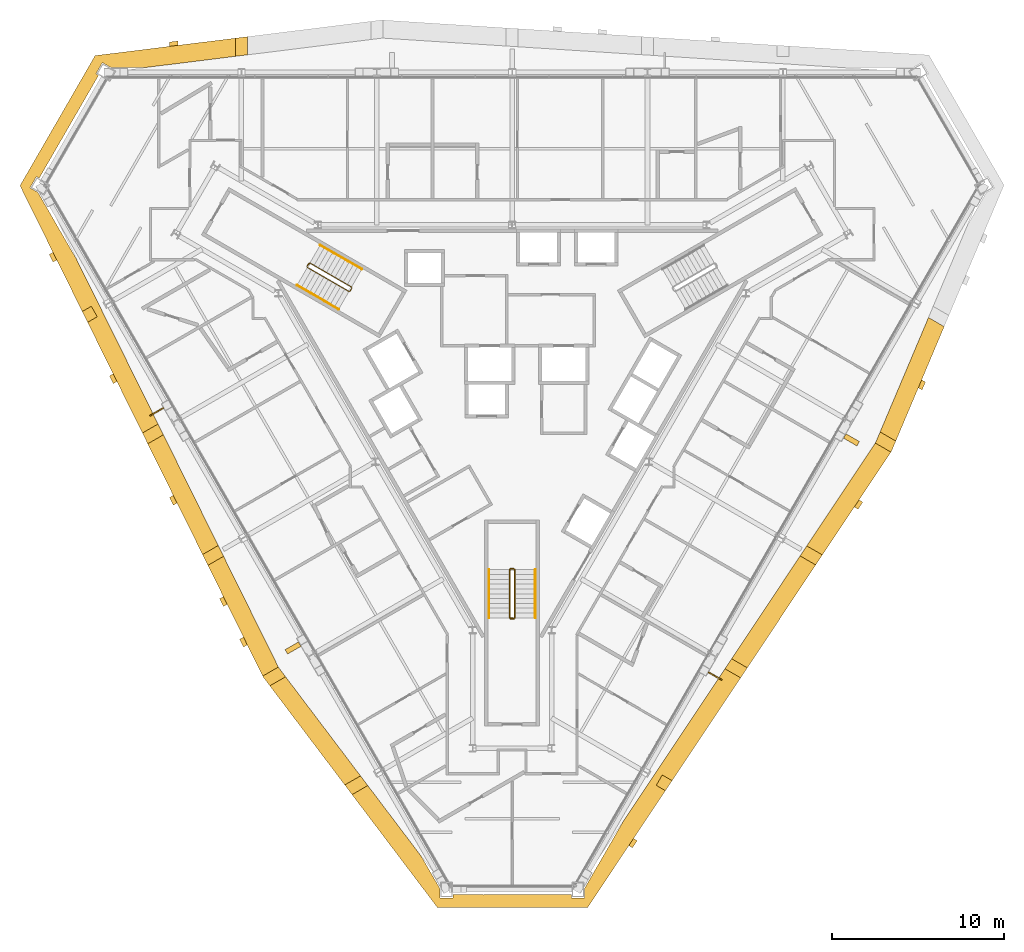
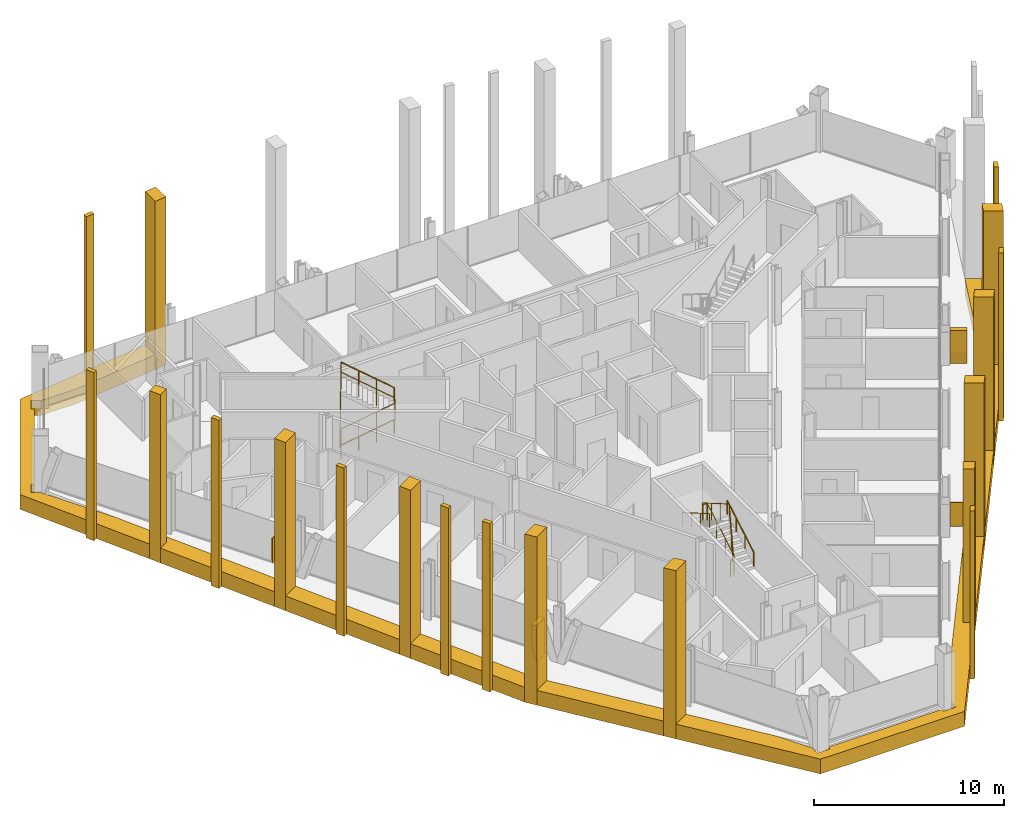
# One storey, part 16 of 17: 31 coverings, 6 railings.
"""IFC4 building model written with IfcOpenShell, lengths in metres."""

from ifc_helpers import new_model, si_unit, direction, frame, origin, origin_2d, place, context, subcontext, project, spatial, polyline, circle, outline, extrude, material, layer, layer_set, type_object, element, save


model = new_model("IFC4")

# Units and contexts
model_context = context("Model", 3, precision=1e-05, world=origin(), true_north=direction((0.0, 1.0)))
body_context = subcontext(model_context, "Body", "Model", "MODEL_VIEW")
ifc_project = project(units=[si_unit("LENGTHUNIT", "METRE"), si_unit("AREAUNIT", "SQUARE_METRE"), si_unit("VOLUMEUNIT", "CUBIC_METRE"), si_unit("PLANEANGLEUNIT", "RADIAN"), si_unit("MASSUNIT", "GRAM", prefix="KILO")], contexts=[model_context])

# Site, building, storey
site_placement = place(None, origin())
site = spatial("IfcSite", under=ifc_project, at=site_placement, CompositionType="ELEMENT")
building_placement = place(site_placement, origin())
building = spatial("IfcBuilding", under=site, at=building_placement, Name="Verrane Prism Tower", CompositionType="ELEMENT")
storey_placement = place(building_placement, frame((0.0, 0.0, 92.800048828125)))
storey = spatial("IfcBuildingStorey", under=building, at=storey_placement, Name="L21", CompositionType="ELEMENT", Elevation=92.800048828125)

# Railings
ifc_material_1 = material(Name="Steel A36 rail and posts, no infill", Category="steel")
railing_type_1 = type_object("IfcRailingType", Name="Stair guard 1100 steel rail and posts", PredefinedType="GUARDRAIL", material=ifc_material_1)
railing_1_placement = place(storey_placement, frame((-11.939453125, 6.72021484375, 0.16357421875)))
element("IfcRailing", 1, at=railing_1_placement, inside=storey, type_object=railing_type_1, Name="Stair 2 guard", PredefinedType="GUARDRAIL", context=body_context, shape_type="SweptSolid", body=[
    extrude(circle(Radius=0.02392578125, at=origin_2d()), frame((0.0, 0.0, 1.076171875), z_axis=(0.747665513933, -0.431721881032, 0.504591415616), x_axis=(0.500049511043, 0.865996816683, 0.0)), (0.0, 0.0, 1.0), 3.2431640625),
    extrude(circle(Radius=0.02392578125, at=origin_2d()), frame((2.4248046875, -1.400146484375, 2.71240234375), z_axis=(0.965948051503, 0.258736085224, 0.0), x_axis=(-0.258736085224, 0.965948051503, 0.0)), (0.0, 0.0, 1.0), 0.07080078125),
    extrude(circle(Radius=0.02392578125, at=origin_2d()), frame((2.4931640625, -1.3818359375, 2.71240234375), z_axis=(0.499158860599, 0.866510491504, 0.0), x_axis=(-0.866510491504, 0.499158860599, 0.0)), (0.0, 0.0, 1.0), 0.199951171875),
    extrude(circle(Radius=0.02392578125, at=origin_2d()), frame((2.593017578125, -1.20849609375, 2.71240234375), z_axis=(-0.102791240646, 0.382383415203, 0.918268416436), x_axis=(-0.965715946433, -0.259601060869, 0.0)), (0.0, 0.0, 1.0), 0.17822265625),
    extrude(circle(Radius=0.02392578125, at=origin_2d()), frame((2.57470703125, -1.140380859375, 2.8759765625), z_axis=(-0.747693913401, 0.431738279637, 0.504535300807), x_axis=(-0.500049511043, -0.865996816683, 0.0)), (0.0, 0.0, 1.0), 3.2431640625),
    extrude(circle(Radius=0.02392578125, at=origin_2d()), frame((0.14990234375, 0.259765625, 4.51220703125), z_axis=(-0.046610908435, -0.053105316576, -0.997500500534), x_axis=(0.751567565678, -0.659656118156, 0.0)), (0.0, 0.0, 1.0), 3.60888671875),
    extrude(circle(Radius=0.02392578125, at=origin_2d()), frame((-0.018310546875, 0.068115234375, 0.91259765625), z_axis=(0.499158860599, 0.866510491504, 0.0), x_axis=(-0.866510491504, 0.499158860599, 0.0)), (0.0, 0.0, 1.0), 0.199951171875),
    extrude(circle(Radius=0.02099609375, at=origin_2d()), origin(), (0.0, 0.0, 1.0), 1.052001953125),
    extrude(circle(Radius=0.02099609375, at=origin_2d()), frame((0.808349609375, -0.466796875, 0.54541015625)), (0.0, 0.0, 1.0), 1.052001953125),
    extrude(circle(Radius=0.02099609375, at=origin_2d()), frame((1.616455078125, -0.933349609375, 1.091064453125)), (0.0, 0.0, 1.0), 1.052001953125),
    extrude(circle(Radius=0.02099609375, at=origin_2d()), frame((2.4248046875, -1.400146484375, 1.636474609375)), (0.0, 0.0, 1.0), 1.052001953125),
    extrude(circle(Radius=0.02099609375, at=origin_2d()), frame((2.4931640625, -1.3818359375, 1.636474609375)), (0.0, 0.0, 1.0), 1.052001953125),
    extrude(circle(Radius=0.02099609375, at=origin_2d()), frame((2.593017578125, -1.20849609375, 1.636474609375)), (0.0, 0.0, 1.0), 1.052001953125),
    extrude(circle(Radius=0.02099609375, at=origin_2d()), frame((2.57470703125, -1.140380859375, 1.800048828125)), (0.0, 0.0, 1.0), 1.052001953125),
    extrude(circle(Radius=0.02099609375, at=origin_2d()), frame((1.766357421875, -0.673583984375, 2.345458984375)), (0.0, 0.0, 1.0), 1.052001953125),
    extrude(circle(Radius=0.02099609375, at=origin_2d()), frame((0.958251953125, -0.20703125, 2.890869140625)), (0.0, 0.0, 1.0), 1.052001953125),
    extrude(circle(Radius=0.02099609375, at=origin_2d()), frame((0.14990234375, 0.259765625, 3.436279296875)), (0.0, 0.0, 1.0), 1.052001953125),
    extrude(circle(Radius=0.02099609375, at=origin_2d()), frame((0.10791015625, 0.2119140625, 2.536376953125)), (0.0, 0.0, 1.0), 1.052001953125),
    extrude(circle(Radius=0.02099609375, at=origin_2d()), frame((0.06591796875, 0.1640625, 1.63623046875)), (0.0, 0.0, 1.0), 1.052001953125),
    extrude(circle(Radius=0.02099609375, at=origin_2d()), frame((0.023681640625, 0.115966796875, 0.736328125)), (0.0, 0.0, 1.0), 1.052001953125),
    extrude(circle(Radius=0.02099609375, at=origin_2d()), frame((-0.018310546875, 0.068115234375, -0.16357421875)), (0.0, 0.0, 1.0), 1.052001953125),
    extrude(circle(Radius=0.02099609375, at=origin_2d()), frame((0.08154296875, 0.241455078125, -0.16357421875)), (0.0, 0.0, 1.0), 1.052001953125),
])
railing_2_placement = place(storey_placement, frame((0.14990234375, -13.699951171875, 0.16357421875)))
element("IfcRailing", 2, at=railing_2_placement, inside=storey, type_object=railing_type_1, Name="Stair 3 guard", PredefinedType="GUARDRAIL", context=body_context, shape_type="SweptSolid", body=[
    extrude(circle(Radius=0.02392578125, at=origin_2d()), frame((0.0, 0.0, 1.076171875), z_axis=(0.0, 0.863360870873, 0.504586966384), x_axis=(-1.0, 0.0, 0.0)), (0.0, 0.0, 1.0), 3.2431640625),
    extrude(circle(Radius=0.02392578125, at=origin_2d()), frame((0.0, 2.800048828125, 2.71240234375), z_axis=(-0.707106781187, 0.707106781187, 0.0), x_axis=(-0.707106781187, -0.707106781187, 0.0)), (0.0, 0.0, 1.0), 0.0703125),
    extrude(circle(Radius=0.02392578125, at=origin_2d()), frame((-0.0498046875, 2.849853515625, 2.71240234375), z_axis=(-1.0, 0.0, 0.0), x_axis=(0.0, -1.0, 0.0)), (0.0, 0.0, 1.0), 0.2001953125),
    extrude(circle(Radius=0.02392578125, at=origin_2d()), frame((-0.25, 2.849853515625, 2.71240234375), z_axis=(-0.279653641804, -0.279653641804, 0.918470294159), x_axis=(0.707106781187, -0.707106781187, 0.0)), (0.0, 0.0, 1.0), 0.177978515625),
    extrude(circle(Radius=0.02392578125, at=origin_2d()), frame((-0.2998046875, 2.800048828125, 2.8759765625), z_axis=(0.0, -0.863393664356, 0.504530851732), x_axis=(1.0, 0.0, 0.0)), (0.0, 0.0, 1.0), 3.2431640625),
    extrude(circle(Radius=0.02392578125, at=origin_2d()), frame((-0.2998046875, 0.0, 4.51220703125), z_axis=(0.069273741535, -0.013868278335, -0.997501288014), x_axis=(0.196300278283, 0.98054382908, 0.0)), (0.0, 0.0, 1.0), 3.60888671875),
    extrude(circle(Radius=0.02392578125, at=origin_2d()), frame((-0.0498046875, -0.050048828125, 0.91259765625), z_axis=(-1.0, 0.0, 0.0), x_axis=(0.0, -1.0, 0.0)), (0.0, 0.0, 1.0), 0.2001953125),
    extrude(circle(Radius=0.02099609375, at=origin_2d()), origin(), (0.0, 0.0, 1.0), 1.052001953125),
    extrude(circle(Radius=0.02099609375, at=origin_2d()), frame((0.0, 0.933349609375, 0.54541015625)), (0.0, 0.0, 1.0), 1.052001953125),
    extrude(circle(Radius=0.02099609375, at=origin_2d()), frame((0.0, 1.86669921875, 1.091064453125)), (0.0, 0.0, 1.0), 1.052001953125),
    extrude(circle(Radius=0.02099609375, at=origin_2d()), frame((0.0, 2.800048828125, 1.636474609375)), (0.0, 0.0, 1.0), 1.052001953125),
    extrude(circle(Radius=0.02099609375, at=origin_2d()), frame((-0.0498046875, 2.849853515625, 1.636474609375)), (0.0, 0.0, 1.0), 1.052001953125),
    extrude(circle(Radius=0.02099609375, at=origin_2d()), frame((-0.25, 2.849853515625, 1.636474609375)), (0.0, 0.0, 1.0), 1.052001953125),
    extrude(circle(Radius=0.02099609375, at=origin_2d()), frame((-0.2998046875, 2.800048828125, 1.800048828125)), (0.0, 0.0, 1.0), 1.052001953125),
    extrude(circle(Radius=0.02099609375, at=origin_2d()), frame((-0.2998046875, 1.86669921875, 2.345458984375)), (0.0, 0.0, 1.0), 1.052001953125),
    extrude(circle(Radius=0.02099609375, at=origin_2d()), frame((-0.2998046875, 0.933349609375, 2.890869140625)), (0.0, 0.0, 1.0), 1.052001953125),
    extrude(circle(Radius=0.02099609375, at=origin_2d()), frame((-0.2998046875, 0.0, 3.436279296875)), (0.0, 0.0, 1.0), 1.052001953125),
    extrude(circle(Radius=0.02099609375, at=origin_2d()), frame((-0.2373046875, -0.012451171875, 2.536376953125)), (0.0, 0.0, 1.0), 1.052001953125),
    extrude(circle(Radius=0.02099609375, at=origin_2d()), frame((-0.1748046875, -0.02490234375, 1.63623046875)), (0.0, 0.0, 1.0), 1.052001953125),
    extrude(circle(Radius=0.02099609375, at=origin_2d()), frame((-0.1123046875, -0.03759765625, 0.736328125)), (0.0, 0.0, 1.0), 1.052001953125),
    extrude(circle(Radius=0.02099609375, at=origin_2d()), frame((-0.0498046875, -0.050048828125, -0.16357421875)), (0.0, 0.0, 1.0), 1.052001953125),
    extrude(circle(Radius=0.02099609375, at=origin_2d()), frame((-0.25, -0.050048828125, -0.16357421875)), (0.0, 0.0, 1.0), 1.052001953125),
])
ifc_material_2 = material(Name="Steel A36 tube", Category="steel")
railing_type_2 = type_object("IfcRailingType", Name="Stair handrail 900 steel tube", PredefinedType="HANDRAIL", material=ifc_material_2)
railing_3_placement = place(storey_placement, frame((-12.53955078125, 5.680908203125, 0.16357421875)))
element("IfcRailing", 3, at=railing_3_placement, inside=storey, type_object=railing_type_2, Name="Stair 2 handrail", PredefinedType="HANDRAIL", context=body_context, shape_type="SweptSolid", body=[
    extrude(circle(Radius=0.02392578125, at=origin_2d()), frame((0.0, 0.0, 0.8759765625), z_axis=(0.747665513933, -0.431721881032, 0.504591415616), x_axis=(0.500049511043, 0.865996816683, 0.0)), (0.0, 0.0, 1.0), 3.2431640625),
    extrude(circle(Radius=0.02099609375, at=origin_2d()), origin(), (0.0, 0.0, 1.0), 0.851806640625),
    extrude(circle(Radius=0.02099609375, at=origin_2d()), frame((0.808349609375, -0.466796875, 0.54541015625)), (0.0, 0.0, 1.0), 0.851806640625),
    extrude(circle(Radius=0.02099609375, at=origin_2d()), frame((1.616455078125, -0.933349609375, 1.091064453125)), (0.0, 0.0, 1.0), 0.851806640625),
    extrude(circle(Radius=0.02099609375, at=origin_2d()), frame((2.4248046875, -1.400146484375, 1.636474609375)), (0.0, 0.0, 1.0), 0.851806640625),
])
railing_4_placement = place(storey_placement, frame((-8.7646484375, 6.619140625, 1.963623046875)))
element("IfcRailing", 4, at=railing_4_placement, inside=storey, type_object=railing_type_2, Name="Stair 2 handrail", PredefinedType="HANDRAIL", context=body_context, shape_type="SweptSolid", body=[
    extrude(circle(Radius=0.02392578125, at=origin_2d()), frame((0.0, 0.0, 0.8759765625), z_axis=(-0.74771821388, 0.431677027627, 0.504551698492), x_axis=(-0.49998411664, -0.866034573852, 0.0)), (0.0, 0.0, 1.0), 3.242919921875),
    extrude(circle(Radius=0.02099609375, at=origin_2d()), origin(), (0.0, 0.0, 1.0), 0.851806640625),
    extrude(circle(Radius=0.02099609375, at=origin_2d()), frame((-0.808349609375, 0.466552734375, 0.54541015625)), (0.0, 0.0, 1.0), 0.851806640625),
    extrude(circle(Radius=0.02099609375, at=origin_2d()), frame((-1.616455078125, 0.933349609375, 1.0908203125)), (0.0, 0.0, 1.0), 0.851806640625),
    extrude(circle(Radius=0.02099609375, at=origin_2d()), frame((-2.4248046875, 1.39990234375, 1.63623046875)), (0.0, 0.0, 1.0), 0.851806640625),
])
railing_5_placement = place(storey_placement, frame((1.35009765625, -13.699951171875, 0.16357421875)))
element("IfcRailing", 5, at=railing_5_placement, inside=storey, type_object=railing_type_2, Name="Stair 3 handrail", PredefinedType="HANDRAIL", context=body_context, shape_type="SweptSolid", body=[
    extrude(circle(Radius=0.02392578125, at=origin_2d()), frame((0.0, 0.0, 0.8759765625), z_axis=(0.0, 0.863360870873, 0.504586966384), x_axis=(-1.0, 0.0, 0.0)), (0.0, 0.0, 1.0), 3.2431640625),
    extrude(circle(Radius=0.02099609375, at=origin_2d()), origin(), (0.0, 0.0, 1.0), 0.851806640625),
    extrude(circle(Radius=0.02099609375, at=origin_2d()), frame((0.0, 0.933349609375, 0.54541015625)), (0.0, 0.0, 1.0), 0.851806640625),
    extrude(circle(Radius=0.02099609375, at=origin_2d()), frame((0.0, 1.86669921875, 1.091064453125)), (0.0, 0.0, 1.0), 0.851806640625),
    extrude(circle(Radius=0.02099609375, at=origin_2d()), frame((0.0, 2.800048828125, 1.636474609375)), (0.0, 0.0, 1.0), 0.851806640625),
])
railing_6_placement = place(storey_placement, frame((-1.35009765625, -10.89990234375, 1.963623046875)))
element("IfcRailing", 6, at=railing_6_placement, inside=storey, type_object=railing_type_2, Name="Stair 3 handrail", PredefinedType="HANDRAIL", context=body_context, shape_type="SweptSolid", body=[
    extrude(circle(Radius=0.02392578125, at=origin_2d()), frame((0.0, 0.0, 0.8759765625), z_axis=(0.0, -0.863393664356, 0.504530851732), x_axis=(1.0, 0.0, 0.0)), (0.0, 0.0, 1.0), 3.2431640625),
    extrude(circle(Radius=0.02099609375, at=origin_2d()), origin(), (0.0, 0.0, 1.0), 0.851806640625),
    extrude(circle(Radius=0.02099609375, at=origin_2d()), frame((0.0, -0.933349609375, 0.54541015625)), (0.0, 0.0, 1.0), 0.851806640625),
    extrude(circle(Radius=0.02099609375, at=origin_2d()), frame((0.0, -1.86669921875, 1.0908203125)), (0.0, 0.0, 1.0), 0.851806640625),
    extrude(circle(Radius=0.02099609375, at=origin_2d()), frame((0.0, -2.800048828125, 1.63623046875)), (0.0, 0.0, 1.0), 0.851806640625),
])

# Coverings
ifc_material_3 = material(Name="Warm limestone cladding", Category="masonry")
ifc_layer_1 = layer(ifc_material_3, 0.89990234375)
ifc_layer_set_1 = layer_set([ifc_layer_1], Name="Stone brace fin 900")
covering_type_1 = type_object("IfcCoveringType", Name="Stone brace fin 900", PredefinedType="CLADDING", material=ifc_layer_set_1)
covering_1_placement = place(storey_placement, frame((-20.70556640625, -1.7197265625, 1.068115234375), z_axis=(0.0, 0.0, 1.0), x_axis=(-0.49869419223, 0.86677800078, 0.0)))
element("IfcCovering", 7, at=covering_1_placement, inside=storey, type_object=covering_type_1, Name="Stone brace fin SW2 L21", PredefinedType="CLADDING", context=body_context, shape_type="SweptSolid", body=[
    extrude(outline(polyline([(0.061767578125, 1.581787109375), (0.0, 1.581787109375), (0.0, 0.0), (0.061767578125, 0.197509765625), (0.061767578125, 1.581787109375)])), frame((0.0, 0.449951171875, 0.0), z_axis=(0.0, -1.0, 0.0), x_axis=(1.0, 0.0, 0.0)), (0.0, 0.0, 1.0), 0.89990234375),
])
covering_2_placement = place(storey_placement, frame((-12.700439453125, -15.590087890625, 0.3271484375), z_axis=(0.0, 0.0, 1.0), x_axis=(-0.49953088146, 0.866296080141, 0.0)))
element("IfcCovering", 8, at=covering_2_placement, inside=storey, type_object=covering_type_1, Name="Stone brace fin SW4 L21", PredefinedType="CLADDING", context=body_context, shape_type="SweptSolid", body=[
    extrude(outline(polyline([(0.294189453125, 2.32275390625), (0.0, 2.32275390625), (0.0, 0.0), (0.294189453125, 0.9384765625), (0.294189453125, 2.32275390625)])), frame((0.0, 0.449951171875, 0.0), z_axis=(0.0, -1.0, 0.0), x_axis=(1.0, 0.0, 0.0)), (0.0, 0.0, 1.0), 0.89990234375),
])
covering_3_placement = place(storey_placement, frame((11.843994140625, -17.07373046875, 1.068115234375), z_axis=(0.0, 0.0, 1.0), x_axis=(-0.49869419223, -0.86677800078, 0.0)))
element("IfcCovering", 9, at=covering_3_placement, inside=storey, type_object=covering_type_1, Name="Stone brace fin SE2 L21", PredefinedType="CLADDING", context=body_context, shape_type="SweptSolid", body=[
    extrude(outline(polyline([(0.061767578125, 1.581787109375), (0.0, 1.581787109375), (0.0, 0.0), (0.061767578125, 0.197509765625), (0.061767578125, 1.581787109375)])), frame((0.0, 0.449951171875, 0.0), z_axis=(0.0, -1.0, 0.0), x_axis=(1.0, 0.0, 0.0)), (0.0, 0.0, 1.0), 0.89990234375),
])
covering_4_placement = place(storey_placement, frame((19.849853515625, -3.202880859375, 0.3271484375), z_axis=(0.0, 0.0, 1.0), x_axis=(-0.499626492788, -0.866240940907, 0.0)))
element("IfcCovering", 10, at=covering_4_placement, inside=storey, type_object=covering_type_1, Name="Stone brace fin SE4 L21", PredefinedType="CLADDING", context=body_context, shape_type="SweptSolid", body=[
    extrude(outline(polyline([(0.293701171875, 2.32275390625), (0.0, 2.32275390625), (0.0, 0.0), (0.293701171875, 0.9384765625), (0.293701171875, 2.32275390625)])), frame((0.0, 0.449951171875, 0.0), z_axis=(0.0, -1.0, 0.0), x_axis=(1.0, 0.0, 0.0)), (0.0, 0.0, 1.0), 0.89990234375),
])
ifc_material_4 = material(Name="Warm limestone cladding", Category="masonry")
covering_type_2 = type_object("IfcCoveringType", Name="Stone mullion pier 500", PredefinedType="CLADDING", material=ifc_material_4)
covering_5_placement = place(storey_placement, frame((0.0, 0.0, -0.949951171875)))
element("IfcCovering", 11, at=covering_5_placement, inside=storey, type_object=covering_type_2, Name="Stone pier SM-N5.1 L21-L23", PredefinedType="CLADDING", context=body_context, shape_type="SweptSolid", body=[
    extrude(outline(polyline([(-19.968994140625, 19.607177734375), (-19.468994140625, 19.669189453125), (-19.468994140625, 19.92138671875), (-19.968994140625, 19.859130859375), (-19.968994140625, 19.607177734375)])), origin(), (0.0, 0.0, 1.0), 10.7998046875),
])
covering_6_placement = place(storey_placement, frame((0.0, 0.0, -0.949951171875)))
element("IfcCovering", 12, at=covering_6_placement, inside=storey, type_object=covering_type_2, Name="Stone pier SM-SW0.1 L21-L23", PredefinedType="CLADDING", context=body_context, shape_type="SweptSolid", body=[
    extrude(outline(polyline([(-26.544677734375, 7.1552734375), (-26.766845703125, 7.6044921875), (-26.98388671875, 7.47900390625), (-26.76171875, 7.030029296875), (-26.544677734375, 7.1552734375)])), origin(), (0.0, 0.0, 1.0), 10.7998046875),
])
covering_7_placement = place(storey_placement, frame((0.0, 0.0, -0.949951171875)))
element("IfcCovering", 13, at=covering_7_placement, inside=storey, type_object=covering_type_2, Name="Stone pier SM-SW1.1 L21-L23", PredefinedType="CLADDING", context=body_context, shape_type="SweptSolid", body=[
    extrude(outline(polyline([(-23.0380859375, 0.072021484375), (-23.260498046875, 0.52099609375), (-23.477294921875, 0.395751953125), (-23.255126953125, -0.05322265625), (-23.0380859375, 0.072021484375)])), origin(), (0.0, 0.0, 1.0), 10.7998046875),
])
covering_8_placement = place(storey_placement, frame((0.0, 0.0, -0.949951171875)))
element("IfcCovering", 14, at=covering_8_placement, inside=storey, type_object=covering_type_2, Name="Stone pier SM-SW2.1 L21-L23", PredefinedType="CLADDING", context=body_context, shape_type="SweptSolid", body=[
    extrude(outline(polyline([(-19.53173828125, -7.011474609375), (-19.754150390625, -6.5625), (-19.970947265625, -6.687744140625), (-19.748779296875, -7.13671875), (-19.53173828125, -7.011474609375)])), origin(), (0.0, 0.0, 1.0), 10.7998046875),
])
covering_9_placement = place(storey_placement, frame((0.0, 0.0, -0.949951171875)))
element("IfcCovering", 15, at=covering_9_placement, inside=storey, type_object=covering_type_2, Name="Stone pier SM-SW3.1 L21-L23", PredefinedType="CLADDING", context=body_context, shape_type="SweptSolid", body=[
    extrude(outline(polyline([(-16.60986328125, -12.914306640625), (-16.83203125, -12.46533203125), (-17.049072265625, -12.590576171875), (-16.82666015625, -13.03955078125), (-16.60986328125, -12.914306640625)])), origin(), (0.0, 0.0, 1.0), 10.7998046875),
])
covering_10_placement = place(storey_placement, frame((0.0, 0.0, -0.949951171875)))
element("IfcCovering", 16, at=covering_10_placement, inside=storey, type_object=covering_type_2, Name="Stone pier SM-SW3.2 L21-L23", PredefinedType="CLADDING", context=body_context, shape_type="SweptSolid", body=[
    extrude(outline(polyline([(-15.44091796875, -15.275390625), (-15.663330078125, -14.826416015625), (-15.880126953125, -14.95166015625), (-15.657958984375, -15.400634765625), (-15.44091796875, -15.275390625)])), origin(), (0.0, 0.0, 1.0), 10.7998046875),
])
covering_11_placement = place(storey_placement, frame((0.0, 0.0, -0.949951171875)))
element("IfcCovering", 17, at=covering_11_placement, inside=storey, type_object=covering_type_2, Name="Stone pier SM-SE0.1 L21-L23", PredefinedType="CLADDING", context=body_context, shape_type="SweptSolid", body=[
    extrude(outline(polyline([(7.07568359375, -26.56591796875), (6.7978515625, -26.98291015625), (7.014892578125, -27.1083984375), (7.29248046875, -26.69140625), (7.07568359375, -26.56591796875)])), origin(), (0.0, 0.0, 1.0), 10.7998046875),
])
covering_12_placement = place(storey_placement, frame((0.0, 0.0, -0.949951171875)))
element("IfcCovering", 18, at=covering_12_placement, inside=storey, type_object=covering_type_2, Name="Stone pier SM-SE3.1 L21-L23", PredefinedType="CLADDING", context=body_context, shape_type="SweptSolid", body=[
    extrude(outline(polyline([(20.21923828125, -6.8310546875), (19.94140625, -7.248046875), (20.158447265625, -7.373291015625), (20.436279296875, -6.956298828125), (20.21923828125, -6.8310546875)])), origin(), (0.0, 0.0, 1.0), 10.7998046875),
])
covering_13_placement = place(storey_placement, frame((0.0, 0.0, -0.949951171875)))
element("IfcCovering", 19, at=covering_13_placement, inside=storey, type_object=covering_type_2, Name="Stone pier SM-SE4.1 L21-L23", PredefinedType="CLADDING", context=body_context, shape_type="SweptSolid", body=[
    extrude(outline(polyline([(23.8701171875, 0.1689453125), (23.673828125, -0.295166015625), (23.89208984375, -0.4208984375), (24.08837890625, 0.04296875), (23.8701171875, 0.1689453125)])), origin(), (0.0, 0.0, 1.0), 10.7998046875),
])
ifc_material_5 = material(Name="Warm limestone cladding", Category="masonry")
covering_type_3 = type_object("IfcCoveringType", Name="Stone pier 700", PredefinedType="CLADDING", material=ifc_material_5)
covering_14_placement = place(storey_placement, frame((0.0, 0.0, -0.949951171875)))
element("IfcCovering", 20, at=covering_14_placement, inside=storey, type_object=covering_type_3, Name="Stone pier PC-N5 L21-L23", PredefinedType="CLADDING", context=body_context, shape_type="SweptSolid", body=[
    extrude(outline(polyline([(-16.125244140625, 20.0849609375), (-16.125244140625, 19.02685546875), (-15.42529296875, 19.114013671875), (-15.42529296875, 20.172119140625), (-16.125244140625, 20.0849609375)])), origin(), (0.0, 0.0, 1.0), 10.7998046875),
])
covering_15_placement = place(storey_placement, frame((0.0, 0.0, -0.949951171875)))
element("IfcCovering", 21, at=covering_15_placement, inside=storey, type_object=covering_type_3, Name="Stone pier PC-SW1 L21-L23", PredefinedType="CLADDING", context=body_context, shape_type="SweptSolid", body=[
    extrude(outline(polyline([(-24.18359375, 3.84912109375), (-24.358642578125, 4.152099609375), (-24.53369140625, 4.455078125), (-25.05810546875, 4.15234375), (-24.7470703125, 3.523681640625), (-24.18359375, 3.84912109375)])), origin(), (0.0, 0.0, 1.0), 10.7998046875),
])
covering_16_placement = place(storey_placement, frame((0.0, 0.0, -0.949951171875)))
element("IfcCovering", 22, at=covering_16_placement, inside=storey, type_object=covering_type_3, Name="Stone pier PC-SW2 L21-L23", PredefinedType="CLADDING", context=body_context, shape_type="SweptSolid", body=[
    extrude(outline(polyline([(-21.240478515625, -3.5595703125), (-20.329345703125, -3.033447265625), (-20.640625, -2.40478515625), (-21.5517578125, -2.930908203125), (-21.240478515625, -3.5595703125)])), origin(), (0.0, 0.0, 1.0), 10.7998046875),
])
covering_17_placement = place(storey_placement, frame((0.0, 0.0, -0.949951171875)))
element("IfcCovering", 23, at=covering_17_placement, inside=storey, type_object=covering_type_3, Name="Stone pier PC-SW3 L21-L23", PredefinedType="CLADDING", context=body_context, shape_type="SweptSolid", body=[
    extrude(outline(polyline([(-17.734130859375, -10.64306640625), (-16.822998046875, -10.116943359375), (-17.134033203125, -9.48828125), (-18.04541015625, -10.014404296875), (-17.734130859375, -10.64306640625)])), origin(), (0.0, 0.0, 1.0), 10.7998046875),
])
covering_18_placement = place(storey_placement, frame((0.0, 0.0, -0.949951171875)))
element("IfcCovering", 24, at=covering_18_placement, inside=storey, type_object=covering_type_3, Name="Stone pier PC-SW4 L21-L23", PredefinedType="CLADDING", context=body_context, shape_type="SweptSolid", body=[
    extrude(outline(polyline([(-14.124267578125, -17.666748046875), (-13.2080078125, -17.1376953125), (-13.6123046875, -16.6025390625), (-13.627685546875, -16.57177734375), (-14.538818359375, -17.09765625), (-14.509521484375, -17.156982421875), (-14.124267578125, -17.666748046875)])), origin(), (0.0, 0.0, 1.0), 10.7998046875),
])
covering_19_placement = place(storey_placement, frame((0.0, 0.0, -0.949951171875)))
element("IfcCovering", 25, at=covering_19_placement, inside=storey, type_object=covering_type_3, Name="Stone pier PC-SW5 L21-L23", PredefinedType="CLADDING", context=body_context, shape_type="SweptSolid", body=[
    extrude(outline(polyline([(-9.33154296875, -24.00732421875), (-8.415283203125, -23.478271484375), (-8.840576171875, -22.91552734375), (-9.7568359375, -23.444580078125), (-9.33154296875, -24.00732421875)])), origin(), (0.0, 0.0, 1.0), 10.7998046875),
])
covering_20_placement = place(storey_placement, frame((0.0, 0.0, -0.949951171875)))
element("IfcCovering", 26, at=covering_20_placement, inside=storey, type_object=covering_type_3, Name="Stone pier PC-SE1 L21-L23", PredefinedType="CLADDING", context=body_context, shape_type="SweptSolid", body=[
    extrude(outline(polyline([(8.748046875, -22.862060546875), (8.39794921875, -23.46826171875), (8.93310546875, -23.777099609375), (9.32177734375, -23.193359375), (8.748046875, -22.862060546875)])), origin(), (0.0, 0.0, 1.0), 10.7998046875),
])
covering_21_placement = place(storey_placement, frame((0.0, 0.0, -0.949951171875)))
element("IfcCovering", 27, at=covering_21_placement, inside=storey, type_object=covering_type_3, Name="Stone pier PC-SE2 L21-L23", PredefinedType="CLADDING", context=body_context, shape_type="SweptSolid", body=[
    extrude(outline(polyline([(13.702880859375, -16.614990234375), (12.791748046875, -16.089111328125), (12.403076171875, -16.6728515625), (13.314208984375, -17.198974609375), (13.702880859375, -16.614990234375)])), origin(), (0.0, 0.0, 1.0), 10.7998046875),
])
covering_22_placement = place(storey_placement, frame((0.0, 0.0, -0.949951171875)))
element("IfcCovering", 28, at=covering_22_placement, inside=storey, type_object=covering_type_3, Name="Stone pier PC-SE3 L21-L23", PredefinedType="CLADDING", context=body_context, shape_type="SweptSolid", body=[
    extrude(outline(polyline([(18.084228515625, -10.036865234375), (17.173095703125, -9.5107421875), (16.7841796875, -10.094482421875), (17.6953125, -10.62060546875), (18.084228515625, -10.036865234375)])), origin(), (0.0, 0.0, 1.0), 10.7998046875),
])
covering_23_placement = place(storey_placement, frame((0.0, 0.0, -0.949951171875)))
element("IfcCovering", 29, at=covering_23_placement, inside=storey, type_object=covering_type_3, Name="Stone pier PC-SE4 L21-L23", PredefinedType="CLADDING", context=body_context, shape_type="SweptSolid", body=[
    extrude(outline(polyline([(22.362060546875, -3.398681640625), (21.445556640625, -2.86962890625), (21.1845703125, -3.4873046875), (21.165283203125, -3.51611328125), (22.07666015625, -4.042236328125), (22.11328125, -3.9873046875), (22.362060546875, -3.398681640625)])), origin(), (0.0, 0.0, 1.0), 10.7998046875),
])
ifc_material_6 = material(Name="Warm limestone cladding", Category="masonry")
ifc_layer_2 = layer(ifc_material_6, 0.449951171875)
ifc_layer_set_2 = layer_set([ifc_layer_2], Name="Stone spandrel band 450")
covering_type_4 = type_object("IfcCoveringType", Name="Stone spandrel band 450", PredefinedType="CLADDING", material=ifc_layer_set_2)
covering_24_placement = place(storey_placement, frame((0.0, 0.0, -0.949951171875)))
element("IfcCovering", 30, at=covering_24_placement, inside=storey, type_object=covering_type_4, Name="Stone spandrel band L21 part 1", PredefinedType="CLADDING", context=body_context, shape_type="SweptSolid", body=[
    extrude(outline(polyline([(4.397216796875, -30.587646484375), (8.93310546875, -23.777099609375), (8.39794921875, -23.46826171875), (8.748046875, -22.862060546875), (9.32177734375, -23.193359375), (13.314208984375, -17.198974609375), (12.403076171875, -16.6728515625), (6.4375, -25.630126953125), (4.2099609375, -29.488037109375), (4.2099609375, -30.02001953125), (3.449951171875, -30.02001953125), (3.449951171875, -29.837646484375), (-1.63232421875, -29.837646484375), (-1.645263671875, -29.853515625), (-1.664794921875, -29.837646484375), (-1.732177734375, -29.837646484375), (-1.732177734375, -29.840087890625), (-1.79541015625, -29.840087890625), (-1.79541015625, -29.837646484375), (-2.5400390625, -29.837646484375), (-2.5400390625, -29.840087890625), (-2.64501953125, -29.840087890625), (-2.64501953125, -29.837646484375), (-2.826416015625, -29.837646484375), (-2.826416015625, -29.840087890625), (-2.8896484375, -29.840087890625), (-2.8896484375, -29.837646484375), (-3.449951171875, -29.837646484375), (-3.449951171875, -30.02001953125), (-4.2099609375, -30.02001953125), (-4.2099609375, -29.488037109375), (-5.301513671875, -27.597412109375), (-8.415283203125, -23.478271484375), (-9.33154296875, -24.00732421875), (-4.357421875, -30.587646484375), (4.397216796875, -30.587646484375)])), origin(), (0.0, 0.0, 1.0), 0.949951171875),
])
covering_25_placement = place(storey_placement, frame((0.0, 0.0, -0.949951171875)))
element("IfcCovering", 31, at=covering_25_placement, inside=storey, type_object=covering_type_4, Name="Stone spandrel band L21 part 3", PredefinedType="CLADDING", context=body_context, shape_type="SweptSolid", body=[
    extrude(outline(polyline([(-27.256591796875, 12.47021484375), (-27.254638671875, 12.468994140625), (-27.163818359375, 12.626220703125), (-27.165771484375, 12.62744140625), (-27.113037109375, 12.71826171875), (-27.111083984375, 12.71728515625), (-26.73828125, 13.363037109375), (-26.73974609375, 13.364013671875), (-26.7080078125, 13.418701171875), (-26.70654296875, 13.41796875), (-26.672607421875, 13.476806640625), (-26.67626953125, 13.50048828125), (-26.6572265625, 13.503662109375), (-24.11181640625, 17.912109375), (-24.265625, 18.0009765625), (-23.8857421875, 18.6591796875), (-23.419677734375, 18.389892578125), (-21.249267578125, 18.389892578125), (-16.125244140625, 19.02685546875), (-16.125244140625, 20.0849609375), (-24.310791015625, 19.0673828125), (-28.688232421875, 11.485595703125), (-25.05810546875, 4.15234375), (-24.53369140625, 4.455078125), (-24.18359375, 3.84912109375), (-24.7470703125, 3.523681640625), (-21.5517578125, -2.930908203125), (-20.640625, -2.40478515625), (-25.4150390625, 7.239990234375), (-27.638427734375, 11.091064453125), (-28.105712890625, 11.36083984375), (-27.7255859375, 12.01904296875), (-27.567138671875, 11.927490234375), (-27.2861328125, 12.4140625), (-27.288330078125, 12.415283203125), (-27.256591796875, 12.47021484375)])), origin(), (0.0, 0.0, 1.0), 0.949951171875),
])
covering_26_placement = place(storey_placement, frame((0.0, 0.0, -0.949951171875)))
element("IfcCovering", 32, at=covering_26_placement, inside=storey, type_object=covering_type_4, Name="Stone spandrel band L21 part 4", PredefinedType="CLADDING", context=body_context, shape_type="SweptSolid", body=[
    extrude(outline(polyline([(-17.134033203125, -9.48828125), (-20.329345703125, -3.033447265625), (-21.240478515625, -3.5595703125), (-18.04541015625, -10.014404296875), (-17.134033203125, -9.48828125)])), origin(), (0.0, 0.0, 1.0), 0.949951171875),
])
covering_27_placement = place(storey_placement, frame((0.0, 0.0, -0.949951171875)))
element("IfcCovering", 33, at=covering_27_placement, inside=storey, type_object=covering_type_4, Name="Stone spandrel band L21 part 5", PredefinedType="CLADDING", context=body_context, shape_type="SweptSolid", body=[
    extrude(outline(polyline([(-13.627685546875, -16.57177734375), (-16.822998046875, -10.116943359375), (-17.734130859375, -10.64306640625), (-14.538818359375, -17.09765625), (-13.627685546875, -16.57177734375)])), origin(), (0.0, 0.0, 1.0), 0.949951171875),
])
covering_28_placement = place(storey_placement, frame((0.0, 0.0, -0.949951171875)))
element("IfcCovering", 34, at=covering_28_placement, inside=storey, type_object=covering_type_4, Name="Stone spandrel band L21 part 6", PredefinedType="CLADDING", context=body_context, shape_type="SweptSolid", body=[
    extrude(outline(polyline([(-9.7568359375, -23.444580078125), (-8.840576171875, -22.91552734375), (-13.2080078125, -17.1376953125), (-14.124267578125, -17.666748046875), (-9.7568359375, -23.444580078125)])), origin(), (0.0, 0.0, 1.0), 0.949951171875),
])
covering_29_placement = place(storey_placement, frame((0.0, 0.0, -0.949951171875)))
element("IfcCovering", 35, at=covering_29_placement, inside=storey, type_object=covering_type_4, Name="Stone spandrel band L21 part 7", PredefinedType="CLADDING", context=body_context, shape_type="SweptSolid", body=[
    extrude(outline(polyline([(17.6953125, -10.62060546875), (16.7841796875, -10.094482421875), (12.791748046875, -16.089111328125), (13.702880859375, -16.614990234375), (17.6953125, -10.62060546875)])), origin(), (0.0, 0.0, 1.0), 0.949951171875),
])
covering_30_placement = place(storey_placement, frame((0.0, 0.0, -0.949951171875)))
element("IfcCovering", 36, at=covering_30_placement, inside=storey, type_object=covering_type_4, Name="Stone spandrel band L21 part 8", PredefinedType="CLADDING", context=body_context, shape_type="SweptSolid", body=[
    extrude(outline(polyline([(21.165283203125, -3.51611328125), (17.173095703125, -9.5107421875), (18.084228515625, -10.036865234375), (22.07666015625, -4.042236328125), (21.165283203125, -3.51611328125)])), origin(), (0.0, 0.0, 1.0), 0.949951171875),
])
covering_31_placement = place(storey_placement, frame((0.0, 0.0, -0.949951171875)))
element("IfcCovering", 37, at=covering_31_placement, inside=storey, type_object=covering_type_4, Name="Stone spandrel band L21 part 9", PredefinedType="CLADDING", context=body_context, shape_type="SweptSolid", body=[
    extrude(outline(polyline([(24.265625, 3.801513671875), (21.445556640625, -2.86962890625), (22.362060546875, -3.398681640625), (25.181884765625, 3.272705078125), (24.265625, 3.801513671875)])), origin(), (0.0, 0.0, 1.0), 0.949951171875),
])

save(model, "model.ifc")
